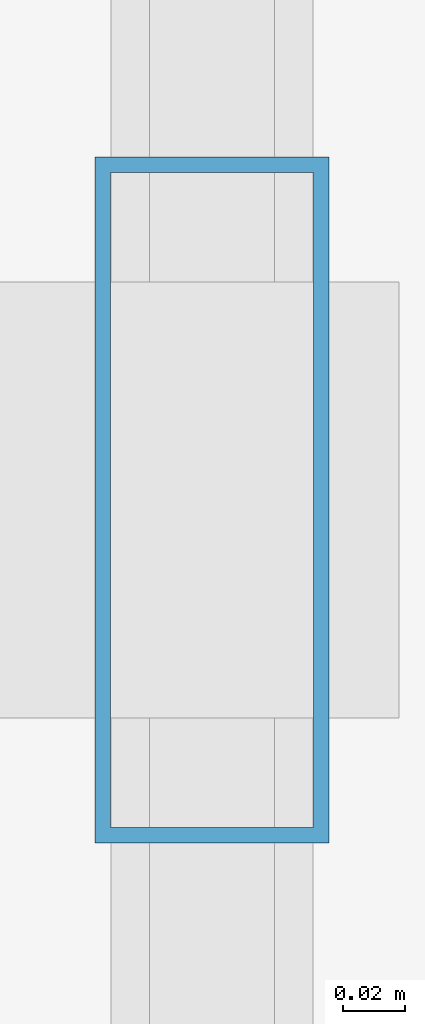
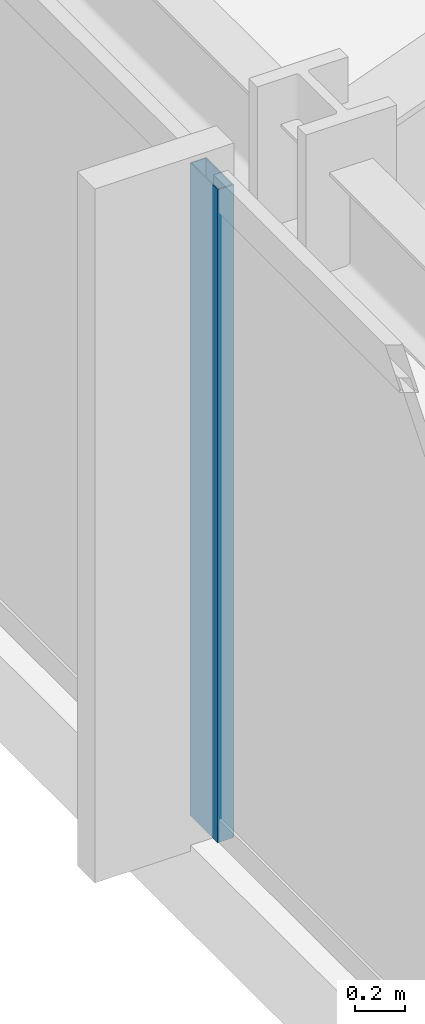
# One storey, part 7 of 31: 1 member, 1 element without a shape of its own.
"""IFC4 building model written with IfcOpenShell, lengths in metres."""

import ifcopenshell
import ifcopenshell.guid

model = None  # the IFC model being written
_history = None  # IfcOwnerHistory: only IFC2X3 demands one
_inside = {}  # id of a spatial element -> (the spatial element, [elements in it])
_under = {}  # id of a project, library or spatial element -> (it, [spatial elements below it])
_declared = {}  # id of a project -> (the project, [libraries it declares])
_typed = {}  # id of a type object -> (the type object, [elements of that type])
_made_of = {}  # id of a material, layer set ... -> (it, [elements and type objects made of it])


def new_model(schema):
    """Start an empty IFC model of exactly this schema.

    Asked for "IFC4X3", IfcOpenShell would pick the latest addendum, in which some entities
    have other attributes; the version numbers below select the first issue.
    IFC2X3 requires an IfcOwnerHistory on every rooted entity: one is made here for all.
    """
    global model, _history
    if schema == "IFC4X3":
        model = ifcopenshell.file(schema_version=(4, 3, 0, 0))
    else:
        model = ifcopenshell.file(schema=schema)
    _inside.clear()
    _under.clear()
    _declared.clear()
    _typed.clear()
    _made_of.clear()
    _history = None
    if model.schema == "IFC2X3":
        org = make("IfcOrganization", Name="unknown")
        user = make(
            "IfcPersonAndOrganization",
            ThePerson=make("IfcPerson", FamilyName="unknown"),
            TheOrganization=org,
        )
        app = make(
            "IfcApplication",
            ApplicationDeveloper=org,
            Version="unknown",
            ApplicationFullName="unknown",
            ApplicationIdentifier="unknown",
        )
        _history = make(
            "IfcOwnerHistory",
            OwningUser=user,
            OwningApplication=app,
            ChangeAction="ADDED",
            CreationDate=0,
        )
    return model


def make(cls, **values):
    """One entity of the class cls with the attributes given. An attribute that is None is left unset."""
    return model.create_entity(
        cls, **{name: value for name, value in values.items() if value is not None}
    )


def rooted(cls, **values):
    """An entity with a GlobalId (a new one), such as an element, a storey or a relation."""
    return make(cls, GlobalId=ifcopenshell.guid.new(), OwnerHistory=_history, **values)


def si_unit(unit_type, name, prefix=None):
    """IfcSIUnit, for example si_unit("LENGTHUNIT", "METRE", prefix="MILLI")."""
    return make("IfcSIUnit", UnitType=unit_type, Prefix=prefix, Name=name)


def assignment(units):
    """IfcUnitAssignment: the units of a project."""
    return None if units is None else make("IfcUnitAssignment", Units=units)


def point(xyz):
    """IfcCartesianPoint."""
    return None if xyz is None else make("IfcCartesianPoint", Coordinates=xyz)


def direction(xyz):
    """IfcDirection."""
    return None if xyz is None else make("IfcDirection", DirectionRatios=xyz)


def frame(location, z_axis=None, x_axis=None):
    """IfcAxis2Placement3D, a coordinate frame: its origin and axes. An axis left out is left unset."""
    return make(
        "IfcAxis2Placement3D",
        Location=point(location),
        Axis=direction(z_axis),
        RefDirection=direction(x_axis),
    )


def frame_2d(location, x_axis=None):
    """IfcAxis2Placement2D, a coordinate frame in the plane: its origin and x axis."""
    return make(
        "IfcAxis2Placement2D", Location=point(location), RefDirection=direction(x_axis)
    )


def origin():
    """The frame at (0, 0, 0) with its axes left unset."""
    return frame((0.0, 0.0, 0.0))


def origin_2d():
    """The frame at (0, 0) in the plane with its x axis left unset."""
    return frame_2d((0.0, 0.0))


def place(relative_to, where):
    """IfcLocalPlacement: puts the frame where relative to a parent placement (None: the world)."""
    return make(
        "IfcLocalPlacement", PlacementRelTo=relative_to, RelativePlacement=where
    )


def context(
    kind, dimensions, precision=None, world=None, true_north=None, identifier=None
):
    """IfcGeometricRepresentationContext, for example the 3D "Model" context."""
    return make(
        "IfcGeometricRepresentationContext",
        ContextIdentifier=identifier,
        ContextType=kind,
        CoordinateSpaceDimension=dimensions,
        Precision=precision,
        WorldCoordinateSystem=world,
        TrueNorth=true_north,
    )


def subcontext(parent, identifier, kind, view, scale=None):
    """IfcGeometricRepresentationSubContext, for example "Body" below "Model"."""
    return make(
        "IfcGeometricRepresentationSubContext",
        ContextIdentifier=identifier,
        ContextType=kind,
        ParentContext=parent,
        TargetScale=scale,
        TargetView=view,
    )


def project(units=None, contexts=None):
    """IfcProject with its units and contexts."""
    return rooted(
        "IfcProject",
        Name="project",
        RepresentationContexts=contexts,
        UnitsInContext=assignment(units),
    )


def spatial(cls, under=None, at=None, **own):
    """A site, building, storey or space (cls), placed at a placement, below another one or the project."""
    s = rooted(cls, ObjectPlacement=at, **own)
    if under is not None:
        _under.setdefault(under.id(), (under, []))[1].append(s)
    return s


def profile(cls, at=None, kind="AREA", **sizes):
    """A parametric profile (cls). Its sizes go by their IFC names, for example OverallWidth=200.0."""
    return make(cls, ProfileType=kind, Position=at, **sizes)


def hollow_rectangle(**sizes):
    """IfcRectangleHollowProfileDef."""
    return profile("IfcRectangleHollowProfileDef", **sizes)


def extrude(swept, where, along, depth):
    """IfcExtrudedAreaSolid: the profile swept, set in the frame where, extruded along a direction by depth."""
    return make(
        "IfcExtrudedAreaSolid",
        SweptArea=swept,
        Position=where,
        ExtrudedDirection=direction(along),
        Depth=depth,
    )


def shape(context_of_items, identifier, shape_type, items):
    """IfcShapeRepresentation: the items that make up one representation, for example the "Body"."""
    return make(
        "IfcShapeRepresentation",
        ContextOfItems=context_of_items,
        RepresentationIdentifier=identifier,
        RepresentationType=shape_type,
        Items=items,
    )


def material(Name=None, Category=None):
    """IfcMaterial."""
    return make("IfcMaterial", Name=Name, Category=Category)


def material_profile(
    of_material, cross_section, Name=None, Category=None, Priority=None
):
    """IfcMaterialProfile: a cross section and its material."""
    return make(
        "IfcMaterialProfile",
        Name=Name,
        Material=of_material,
        Profile=cross_section,
        Priority=Priority,
        Category=Category,
    )


def profile_set(profiles, Name=None, composite=None):
    """IfcMaterialProfileSet."""
    return make(
        "IfcMaterialProfileSet",
        Name=Name,
        MaterialProfiles=profiles,
        CompositeProfile=composite,
    )


def made_of(thing, what):
    """Note that an element or type object is made of a material, layer set ...; save() writes the relation."""
    if what is not None:
        _made_of.setdefault(what.id(), (what, []))[1].append(thing)
    return thing


def type_object(cls, material=None, **own):
    """A type object (cls), such as IfcWallType, which elements share."""
    return made_of(rooted(cls, **own), material)


def element(
    cls,
    number,
    at=None,
    inside=None,
    cuts=None,
    type_object=None,
    material=None,
    context=None,
    identifier="Body",
    shape_type=None,
    held_by="IfcProductDefinitionShape",
    body=None,
    shapes=None,
    **own,
):
    """One element of the class cls, such as IfcWall. Its Tag is "e" and its number.

    at: its placement. inside: the storey or other place that contains it. cuts: it is an
    opening in that element (IfcRelVoidsElement). A single representation is given by context,
    identifier, shape_type and body (its items); several are given by shapes. held_by: the class
    of the entity that holds the representations. save() writes the other relations.
    """
    e = rooted(cls, Tag="e%d" % number, ObjectPlacement=at, **own)
    if body is not None:
        shapes = [shape(context, identifier, shape_type, body)]
    if shapes is not None:
        e.Representation = make(held_by, Representations=shapes)
    if inside is not None:
        _inside.setdefault(inside.id(), (inside, []))[1].append(e)
    if cuts is not None:
        rooted(
            "IfcRelVoidsElement", RelatingBuildingElement=cuts, RelatedOpeningElement=e
        )
    if type_object is not None:
        _typed.setdefault(type_object.id(), (type_object, []))[1].append(e)
    return made_of(e, material)


def aggregate(whole, parts):
    """IfcRelAggregates: a whole, such as a stair, and the parts it consists of."""
    return rooted("IfcRelAggregates", RelatingObject=whole, RelatedObjects=parts)


def save(model, path):
    """Write the relations noted so far, then the file.

    IfcRelAggregates (storeys below a building ...), IfcRelContainedInSpatialStructure (elements
    in a storey), IfcRelDefinesByType, IfcRelAssociatesMaterial and IfcRelDeclares: one each for
    every whole, place, type object, material and project.
    """
    for whole, parts in _under.values():
        aggregate(whole, parts)
    for where, things in _inside.values():
        rooted(
            "IfcRelContainedInSpatialStructure",
            RelatedElements=things,
            RelatingStructure=where,
        )
    for kind, things in _typed.values():
        rooted("IfcRelDefinesByType", RelatedObjects=things, RelatingType=kind)
    for what, things in _made_of.values():
        rooted("IfcRelAssociatesMaterial", RelatedObjects=things, RelatingMaterial=what)
    for by, libraries in _declared.values():
        rooted("IfcRelDeclares", RelatingContext=by, RelatedDefinitions=libraries)
    model.write(path)


model = new_model("IFC4")

# Units and contexts
model_context = context("Model", 3, precision=1e-05, world=origin(), true_north=direction((0.0, 1.0)))
body_context = subcontext(model_context, "Body", "Model", "MODEL_VIEW")
ifc_project = project(units=[si_unit("LENGTHUNIT", "METRE"), si_unit("AREAUNIT", "SQUARE_METRE"), si_unit("VOLUMEUNIT", "CUBIC_METRE"), si_unit("PLANEANGLEUNIT", "RADIAN"), si_unit("MASSUNIT", "GRAM", prefix="KILO")], contexts=[model_context])

# Site, building, storey
site_placement = place(None, origin())
site = spatial("IfcSite", under=ifc_project, at=site_placement, CompositionType="ELEMENT")
building_placement = place(site_placement, origin())
building = spatial("IfcBuilding", under=site, at=building_placement, Name="Yelkora Congress Tower", CompositionType="ELEMENT")
storey_placement = place(building_placement, frame((0.0, 0.0, 30.39990234375)))
storey = spatial("IfcBuildingStorey", under=building, at=storey_placement, Name="L06", CompositionType="ELEMENT", Elevation=30.39990234375)

# Curtain wall, member
ifc_material_1 = material(Name="Anodised aluminium and insulated glass", Category="aluminium")
curtain_wall_type = type_object("IfcCurtainWallType", Name="CW-SYS-B1", PredefinedType="NOTDEFINED", material=ifc_material_1)
curtain_wall_placement = place(storey_placement, origin())
curtain_wall = element("IfcCurtainWall", 1, at=curtain_wall_placement, inside=storey, type_object=curtain_wall_type, Name="L06 Unitised Curtain Wall 5", PredefinedType="NOTDEFINED")
ifc_material_2 = material(Name="Anodised aluminium 6063-T6", Category="aluminium")
ifc_material_profile = material_profile(ifc_material_2, hollow_rectangle(XDim=0.074951171875, YDim=0.219970703125, WallThickness=0.0048828125, at=origin_2d()), Name="ALU 75x220x5")
ifc_profile_set = profile_set([ifc_material_profile], Name="Anodised aluminium 6063-T6")
member_type = type_object("IfcMemberType", Name="MEM-ML-B1", PredefinedType="MULLION", material=ifc_profile_set)
member_placement = place(storey_placement, frame((6.139892578125, 29.39990234375, 0.0), z_axis=(0.0, 0.0, 1.0), x_axis=(-1.0, 0.0, 0.0)))
member = element("IfcMember", 2, at=member_placement, type_object=member_type, Name="CW-B1 mullion 3", PredefinedType="MULLION", context=body_context, shape_type="SweptSolid", body=[
    extrude(hollow_rectangle(XDim=0.074951171875, YDim=0.219970703125, WallThickness=0.0048828125, at=origin_2d()), origin(), (0.0, 0.0, 1.0), 3.18017578125),
])
aggregate(curtain_wall, [member])

save(model, "model.ifc")
